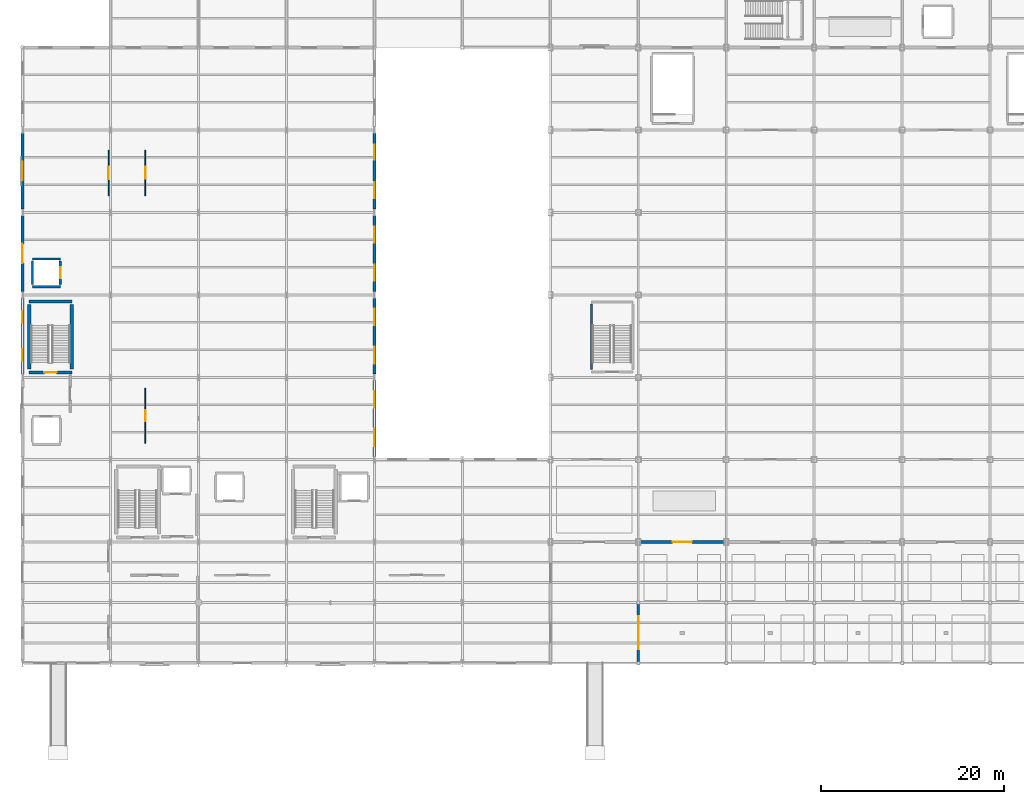
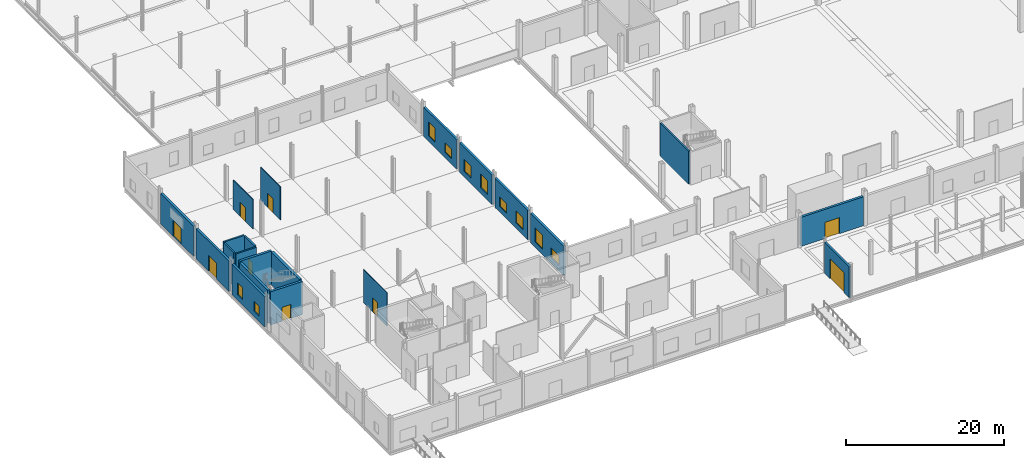
# One storey, part 67 of 85: 21 walls, 10 windows, 9 doors, 19 openings.
"""IFC4 building model written with IfcOpenShell, lengths in metres."""

from ifc_helpers import new_model, si_unit, direction, frame, frame_2d, origin, place, context, subcontext, project, spatial, rectangle, extrude, material, layer, layer_set, type_object, element, fill, save


model = new_model("IFC4")

# Units and contexts
model_context = context("Model", 3, precision=1e-05, world=origin(), true_north=direction((0.0, 1.0)))
body_context = subcontext(model_context, "Body", "Model", "MODEL_VIEW")
ifc_project = project(units=[si_unit("LENGTHUNIT", "METRE"), si_unit("AREAUNIT", "SQUARE_METRE"), si_unit("VOLUMEUNIT", "CUBIC_METRE"), si_unit("PLANEANGLEUNIT", "RADIAN"), si_unit("MASSUNIT", "GRAM", prefix="KILO")], contexts=[model_context])

# Site, building, storey
site_placement = place(None, origin())
site = spatial("IfcSite", under=ifc_project, at=site_placement, CompositionType="ELEMENT")
building_placement = place(site_placement, origin())
building = spatial("IfcBuilding", under=site, at=building_placement, Name="Zarnetskaya Central Station", CompositionType="ELEMENT")
storey_placement = place(building_placement, origin())
storey = spatial("IfcBuildingStorey", under=building, at=storey_placement, Name="L00", CompositionType="ELEMENT", Elevation=0.0)

# Wall, opening, door
ifc_material_1 = material(Name="Gypsum stud partition")
ifc_layer_1 = layer(ifc_material_1, 0.10009765625, Name="Gypsum stud partition")
ifc_layer_set_1 = layer_set([ifc_layer_1], Name="Gypsum stud partition")
wall_type_1 = type_object("IfcWallType", Name="PART-LGT-100", PredefinedType="PARTITIONING", material=ifc_layer_set_1)
wall_1_placement = place(storey_placement, frame((13.39990234375, 24.0, 0.0), z_axis=(0.0, 0.0, 1.0), x_axis=(0.0, 1.0, 0.0)))
wall_1 = element("IfcWall", 1, at=wall_1_placement, inside=storey, type_object=wall_type_1, Name="Interior partition IPRT-L00-0407", PredefinedType="PARTITIONING", context=body_context, shape_type="SweptSolid", body=[
    extrude(rectangle(XDim=6.0, YDim=0.10009765625, at=frame_2d((3.0, 0.0))), origin(), (0.0, 0.0, 1.0), 5.1201171875),
])
opening_1_placement = place(wall_1_placement, frame((2.375, 0.0, 0.0)))
opening_1 = element("IfcOpeningElement", 2, at=opening_1_placement, cuts=wall_1, Name="Opening DR-11", PredefinedType="OPENING", context=body_context, shape_type="SweptSolid", body=[
    extrude(rectangle(XDim=1.25, YDim=2.159912109375, at=frame_2d((0.625, 1.080078125))), frame((0.0, 0.06005859375, 0.0), z_axis=(0.0, -1.0, 0.0), x_axis=(1.0, 0.0, 0.0)), (0.0, 0.0, 1.0), 0.1201171875),
])
ifc_material_2 = material(Name="Anodised aluminium", Category="aluminium")
door_type_1 = type_object("IfcDoorType", Name="DR-INT-10", OperationType="NOTDEFINED", PredefinedType="DOOR", material=ifc_material_2)
door_1_placement = place(opening_1_placement, origin())
door_1 = element("IfcDoor", 3, at=door_1_placement, inside=storey, type_object=door_type_1, Name="Ground Left Luggage and Parcel Counter Hall door", OperationType="SINGLE_SWING_LEFT", OverallHeight=2.159912109375, OverallWidth=1.25, PredefinedType="DOOR", context=body_context, shape_type="SweptSolid", body=[
    extrude(rectangle(XDim=1.25, YDim=2.159912109375, at=frame_2d((0.625, 1.080078125))), frame((0.0, 0.02490234375, 0.0), z_axis=(0.0, -1.0, 0.0), x_axis=(1.0, 0.0, 0.0)), (0.0, 0.0, 1.0), 0.050048828125),
])
fill(opening_1, door_1)

ifc_material_3 = material(Name="Gypsum moisture partition")
ifc_layer_2 = layer(ifc_material_3, 0.114990234375, Name="Gypsum moisture partition")
ifc_layer_set_2 = layer_set([ifc_layer_2], Name="Gypsum moisture partition")
wall_type_2 = type_object("IfcWallType", Name="PART-WC-115", PredefinedType="PARTITIONING", material=ifc_layer_set_2)
wall_2_placement = place(storey_placement, frame((13.39990234375, 51.0, 0.0), z_axis=(0.0, 0.0, 1.0), x_axis=(0.0, 1.0, 0.0)))
wall_2 = element("IfcWall", 4, at=wall_2_placement, inside=storey, type_object=wall_type_2, Name="Interior partition IPRT-L00-0408", PredefinedType="PARTITIONING", context=body_context, shape_type="SweptSolid", body=[
    extrude(rectangle(XDim=5.0, YDim=0.114990234375, at=frame_2d((2.5, 0.0))), origin(), (0.0, 0.0, 1.0), 5.1201171875),
])
opening_2_placement = place(wall_2_placement, frame((1.85009765625, 0.0, 0.0)))
opening_2 = element("IfcOpeningElement", 5, at=opening_2_placement, cuts=wall_2, Name="Opening DR-14", PredefinedType="OPENING", context=body_context, shape_type="SweptSolid", body=[
    extrude(rectangle(XDim=1.300048828125, YDim=2.159912109375, at=frame_2d((0.64990234375, 1.080078125))), frame((0.0, 0.0673828125, 0.0), z_axis=(0.0, -1.0, 0.0), x_axis=(1.0, 0.0, 0.0)), (0.0, 0.0, 1.0), 0.135009765625),
])
door_type_2 = type_object("IfcDoorType", Name="DR-INT-11", OperationType="NOTDEFINED", PredefinedType="DOOR", material=ifc_material_2)
door_2_placement = place(opening_2_placement, origin())
door_2 = element("IfcDoor", 6, at=door_2_placement, inside=storey, type_object=door_type_2, Name="Main Station Public WC Male and Female door", OperationType="SINGLE_SWING_RIGHT", OverallHeight=2.159912109375, OverallWidth=1.300048828125, PredefinedType="DOOR", context=body_context, shape_type="SweptSolid", body=[
    extrude(rectangle(XDim=1.300048828125, YDim=2.159912109375, at=frame_2d((0.64990234375, 1.080078125))), frame((0.0, 0.02490234375, 0.0), z_axis=(0.0, -1.0, 0.0), x_axis=(1.0, 0.0, 0.0)), (0.0, 0.0, 1.0), 0.050048828125),
])
fill(opening_2, door_2)

wall_3_placement = place(storey_placement, frame((9.39990234375, 56.0, 0.0), z_axis=(0.0, 0.0, 1.0), x_axis=(0.0, -1.0, 0.0)))
wall_3 = element("IfcWall", 7, at=wall_3_placement, inside=storey, type_object=wall_type_2, Name="Interior partition IPRT-L00-0409", PredefinedType="PARTITIONING", context=body_context, shape_type="SweptSolid", body=[
    extrude(rectangle(XDim=5.0, YDim=0.114990234375, at=frame_2d((2.5, 0.0))), origin(), (0.0, 0.0, 1.0), 4.5400390625),
])
opening_3_placement = place(wall_3_placement, frame((1.820068359375, 0.0, 0.0)))
opening_3 = element("IfcOpeningElement", 8, at=opening_3_placement, cuts=wall_3, Name="Opening DR-08", PredefinedType="OPENING", context=body_context, shape_type="SweptSolid", body=[
    extrude(rectangle(XDim=1.360107421875, YDim=2.179931640625, at=frame_2d((0.68017578125, 1.08984375))), frame((0.0, 0.0673828125, 0.0), z_axis=(0.0, -1.0, 0.0), x_axis=(1.0, 0.0, 0.0)), (0.0, 0.0, 1.0), 0.135009765625),
])
door_type_3 = type_object("IfcDoorType", Name="DR-INT-12", OperationType="NOTDEFINED", PredefinedType="DOOR", material=ifc_material_2)
door_3_placement = place(opening_3_placement, origin())
door_3 = element("IfcDoor", 9, at=door_3_placement, inside=storey, type_object=door_type_3, Name="Main Station Accessible WC and Baby Care Suite door", OperationType="SINGLE_SWING_LEFT", OverallHeight=2.179931640625, OverallWidth=1.360107421875, PredefinedType="DOOR", context=body_context, shape_type="SweptSolid", body=[
    extrude(rectangle(XDim=1.360107421875, YDim=2.179931640625, at=frame_2d((0.68017578125, 1.08984375))), frame((0.0, 0.02490234375, 0.0), z_axis=(0.0, -1.0, 0.0), x_axis=(1.0, 0.0, 0.0)), (0.0, 0.0, 1.0), 0.050048828125),
])
fill(opening_3, door_3)

ifc_material_4 = material(Name="Concrete C35/45", Category="concrete")
ifc_layer_3 = layer(ifc_material_4, 0.35009765625, Name="Concrete C35/45", Category="concrete")
ifc_layer_set_3 = layer_set([ifc_layer_3], Name="Concrete C35/45")
wall_type_3 = type_object("IfcWallType", Name="WALL-CORE-350", PredefinedType="SHEAR", material=ifc_layer_set_3)
wall_4_placement = place(storey_placement, frame((5.375, 31.72509765625, 0.0), z_axis=(0.0, 0.0, 1.0), x_axis=(-1.0, 0.0, 0.0)))
wall_4 = element("IfcWall", 10, at=wall_4_placement, inside=storey, type_object=wall_type_3, Name="Core shear wall WSTR-L00-0221", PredefinedType="SHEAR", context=body_context, shape_type="SweptSolid", body=[
    extrude(rectangle(XDim=4.64990234375, YDim=0.35009765625, at=frame_2d((2.324951171875, 0.0))), origin(), (0.0, 0.0, 1.0), 5.1201171875),
])
opening_4_placement = place(wall_4_placement, frame((1.6650390625, 0.0, 0.0)))
opening_4 = element("IfcOpeningElement", 11, at=opening_4_placement, cuts=wall_4, Name="Opening DR-FD60", PredefinedType="OPENING", context=body_context, shape_type="SweptSolid", body=[
    extrude(rectangle(XDim=1.320068359375, YDim=2.14990234375, at=frame_2d((0.66015625, 1.074951171875))), frame((0.0, 0.18505859375, 0.0), z_axis=(0.0, -1.0, 0.0), x_axis=(1.0, 0.0, 0.0)), (0.0, 0.0, 1.0), 0.3701171875),
])
door_type_4 = type_object("IfcDoorType", Name="DR-FIRE-STAIR", OperationType="NOTDEFINED", PredefinedType="DOOR", material=ifc_material_2)
door_4_placement = place(opening_4_placement, origin())
door_4 = element("IfcDoor", 12, at=door_4_placement, inside=storey, type_object=door_type_4, Name="Protected exit stair door ST-C2 L00", OperationType="SINGLE_SWING_LEFT", OverallHeight=2.14990234375, OverallWidth=1.320068359375, PredefinedType="DOOR", context=body_context, shape_type="SweptSolid", body=[
    extrude(rectangle(XDim=1.320068359375, YDim=2.14990234375, at=frame_2d((0.66015625, 1.074951171875))), frame((0.0, 0.02490234375, 0.0), z_axis=(0.0, -1.0, 0.0), x_axis=(1.0, 0.0, 0.0)), (0.0, 0.0, 1.0), 0.050048828125),
])
fill(opening_4, door_4)

# Walls
wall_5_placement = place(storey_placement, frame((0.72509765625, 39.47509765625, 0.0), z_axis=(0.0, 0.0, 1.0), x_axis=(1.0, 0.0, 0.0)))
element("IfcWall", 13, at=wall_5_placement, inside=storey, type_object=wall_type_3, Name="Core shear wall WSTR-L00-0222", PredefinedType="SHEAR", context=body_context, shape_type="SweptSolid", body=[
    extrude(rectangle(XDim=4.64990234375, YDim=0.35009765625, at=frame_2d((2.324951171875, 0.0))), origin(), (0.0, 0.0, 1.0), 5.1201171875),
])
for number, where, z_axis, x_axis, name in (
    (14, (0.72509765625, 32.074951171875, 0.0), (0.0, 0.0, 1.0), (0.0, 1.0, 0.0), "Core shear wall WSTR-L00-0223"),
    (15, (5.375, 39.125, 0.0), (0.0, 0.0, 1.0), (0.0, -1.0, 0.0), "Core shear wall WSTR-L00-0224"),
):
    element("IfcWall", number, at=place(storey_placement, frame(where, z_axis=z_axis, x_axis=x_axis)), inside=storey, type_object=wall_type_3, Name=name, PredefinedType="SHEAR", context=body_context, shape_type="SweptSolid", body=[
        extrude(rectangle(XDim=7.050048828125, YDim=0.35009765625, at=frame_2d((3.52490234375, 0.0))), origin(), (0.0, 0.0, 1.0), 5.1201171875),
    ])

# Wall, opening, door
ifc_material_5 = material(Name="Precast concrete C40/50", Category="concrete")
ifc_layer_4 = layer(ifc_material_5, 0.340087890625, Name="Precast concrete C40/50", Category="concrete")
ifc_layer_set_4 = layer_set([ifc_layer_4], Name="Precast concrete C40/50")
wall_type_4 = type_object("IfcWallType", Name="WALL-EAVE-340", PredefinedType="SOLIDWALL", material=ifc_layer_set_4)
wall_6_placement = place(storey_placement, frame((76.550048828125, 13.199951171875, 0.0), z_axis=(0.0, 0.0, 1.0), x_axis=(-1.0, 0.0, 0.0)))
wall_6 = element("IfcWall", 16, at=wall_6_placement, inside=storey, type_object=wall_type_4, Name="Exterior precast wall EW-L00-766-132-674-132", PredefinedType="SOLIDWALL", context=body_context, shape_type="SweptSolid", body=[
    extrude(rectangle(XDim=9.10009765625, YDim=0.340087890625, at=frame_2d((4.550048828125, 0.0))), origin(), (0.0, 0.0, 1.0), 4.489990234375),
])
opening_5_placement = place(wall_6_placement, frame((3.5, 0.0, 0.0)))
opening_5 = element("IfcOpeningElement", 17, at=opening_5_placement, cuts=wall_6, Name="Opening ED-10", PredefinedType="OPENING", context=body_context, shape_type="SweptSolid", body=[
    extrude(rectangle(XDim=2.10009765625, YDim=2.5, at=frame_2d((1.050048828125, 1.25))), frame((0.0, 0.18017578125, 0.0), z_axis=(0.0, -1.0, 0.0), x_axis=(1.0, 0.0, 0.0)), (0.0, 0.0, 1.0), 0.360107421875),
])
door_type_5 = type_object("IfcDoorType", Name="DR-EXT-210x250", OperationType="NOTDEFINED", PredefinedType="DOOR", material=ifc_material_2)
door_5_placement = place(opening_5_placement, origin())
door_5 = element("IfcDoor", 18, at=door_5_placement, inside=storey, type_object=door_type_5, Name="Pedestrian final exit door ED-11", OperationType="DOUBLE_DOOR_SINGLE_SWING", OverallHeight=2.5, OverallWidth=2.10009765625, PredefinedType="DOOR", context=body_context, shape_type="SweptSolid", body=[
    extrude(rectangle(XDim=2.10009765625, YDim=2.5, at=frame_2d((1.050048828125, 1.25))), frame((0.0, 0.02490234375, 0.0), z_axis=(0.0, -1.0, 0.0), x_axis=(1.0, 0.0, 0.0)), (0.0, 0.0, 1.0), 0.050048828125),
])
fill(opening_5, door_5)

ifc_layer_5 = layer(ifc_material_5, 0.280029296875, Name="Precast concrete C40/50", Category="concrete")
ifc_layer_set_5 = layer_set([ifc_layer_5], Name="Precast concrete C40/50")
wall_type_5 = type_object("IfcWallType", Name="WALL-EXT-280", PredefinedType="SOLIDWALL", material=ifc_layer_set_5)
wall_7_placement = place(storey_placement, frame((67.199951171875, 0.177734375, 0.0), z_axis=(0.0, 0.0, 1.0), x_axis=(0.0, 1.0, 0.0)))
wall_7 = element("IfcWall", 19, at=wall_7_placement, inside=storey, type_object=wall_type_5, Name="Exterior precast wall EW-L00-672-2-672-64", PredefinedType="SOLIDWALL", context=body_context, shape_type="SweptSolid", body=[
    extrude(rectangle(XDim=6.244384765625, YDim=0.280029296875, at=frame_2d((3.1220703125, 0.0))), origin(), (0.0, 0.0, 1.0), 4.800048828125),
])
opening_6_placement = place(wall_7_placement, frame((1.322265625, 0.0, 0.0)))
opening_6 = element("IfcOpeningElement", 20, at=opening_6_placement, cuts=wall_7, Name="Opening ED-06", PredefinedType="OPENING", context=body_context, shape_type="SweptSolid", body=[
    extrude(rectangle(XDim=3.60009765625, YDim=3.10009765625, at=frame_2d((1.800048828125, 1.550048828125))), frame((0.0, 0.14990234375, 0.0), z_axis=(0.0, -1.0, 0.0), x_axis=(1.0, 0.0, 0.0)), (0.0, 0.0, 1.0), 0.300048828125),
])
door_type_6 = type_object("IfcDoorType", Name="DR-VEH-GATE", OperationType="NOTDEFINED", PredefinedType="DOOR", material=ifc_material_2)
door_6_placement = place(opening_6_placement, origin())
door_6 = element("IfcDoor", 21, at=door_6_placement, inside=storey, type_object=door_type_6, Name="Forecourt vehicle portal gate VG-01", OperationType="DOUBLE_DOOR_SLIDING", OverallHeight=3.10009765625, OverallWidth=3.60009765625, PredefinedType="DOOR", context=body_context, shape_type="SweptSolid", body=[
    extrude(rectangle(XDim=3.60009765625, YDim=3.10009765625, at=frame_2d((1.800048828125, 1.550048828125))), frame((0.0, 0.02490234375, 0.0), z_axis=(0.0, -1.0, 0.0), x_axis=(1.0, 0.0, 0.0)), (0.0, 0.0, 1.0), 0.050048828125),
])
fill(opening_6, door_6)

# Wall, openings, windows
ifc_layer_6 = layer(ifc_material_5, 0.320068359375, Name="Precast concrete C40/50", Category="concrete")
ifc_layer_set_6 = layer_set([ifc_layer_6], Name="Precast concrete C40/50")
wall_type_6 = type_object("IfcWallType", Name="WALL-EXT-320", PredefinedType="SOLIDWALL", material=ifc_layer_set_6)
wall_8_placement = place(storey_placement, frame((0.0, 31.550048828125, 0.0), z_axis=(0.0, 0.0, 1.0), x_axis=(0.0, 1.0, 0.0)))
wall_8 = element("IfcWall", 22, at=wall_8_placement, inside=storey, type_object=wall_type_6, Name="Exterior precast wall EW-L00-0-316-0-398", PredefinedType="SOLIDWALL", context=body_context, shape_type="SweptSolid", body=[
    extrude(rectangle(XDim=8.300048828125, YDim=0.320068359375, at=frame_2d((4.14990234375, 0.0))), origin(), (0.0, 0.0, 1.0), 4.68994140625),
])
opening_7_placement = place(wall_8_placement, frame((1.449951171875, 0.0, 0.85009765625)))
opening_7 = element("IfcOpeningElement", 23, at=opening_7_placement, cuts=wall_8, Name="Opening WN-26", PredefinedType="OPENING", context=body_context, shape_type="SweptSolid", body=[
    extrude(rectangle(XDim=1.25, YDim=1.5, at=frame_2d((0.625, 0.75))), frame((0.0, 0.169921875, 0.0), z_axis=(0.0, -1.0, 0.0), x_axis=(1.0, 0.0, 0.0)), (0.0, 0.0, 1.0), 0.340087890625),
])
opening_8_placement = place(wall_8_placement, frame((5.60009765625, 0.0, 0.85009765625)))
opening_8 = element("IfcOpeningElement", 24, at=opening_8_placement, cuts=wall_8, Name="Opening WN-21", PredefinedType="OPENING", context=body_context, shape_type="SweptSolid", body=[
    extrude(rectangle(XDim=1.25, YDim=1.85009765625, at=frame_2d((0.625, 0.925048828125))), frame((0.0, 0.169921875, 0.0), z_axis=(0.0, -1.0, 0.0), x_axis=(1.0, 0.0, 0.0)), (0.0, 0.0, 1.0), 0.340087890625),
])
ifc_material_6 = material(Name="Low-E insulated glass", Category="glass")
window_type_1 = type_object("IfcWindowType", Name="WIN-04", PartitioningType="SINGLE_PANEL", PredefinedType="WINDOW", material=ifc_material_6)
window_1_placement = place(opening_7_placement, origin())
window_1 = element("IfcWindow", 25, at=window_1_placement, inside=storey, type_object=window_type_1, Name="Facade window L00-0004", OverallHeight=1.5, OverallWidth=1.25, PartitioningType="SINGLE_PANEL", PredefinedType="WINDOW", context=body_context, shape_type="SweptSolid", body=[
    extrude(rectangle(XDim=1.25, YDim=1.5, at=frame_2d((0.625, 0.75))), frame((0.0, 0.030029296875, 0.0), z_axis=(0.0, -1.0, 0.0), x_axis=(1.0, 0.0, 0.0)), (0.0, 0.0, 1.0), 0.06005859375),
])
fill(opening_7, window_1)
window_type_2 = type_object("IfcWindowType", Name="WIN-05", PartitioningType="SINGLE_PANEL", PredefinedType="WINDOW", material=ifc_material_6)
window_2_placement = place(opening_8_placement, origin())
window_2 = element("IfcWindow", 26, at=window_2_placement, inside=storey, type_object=window_type_2, Name="Facade window L00-0005", OverallHeight=1.85009765625, OverallWidth=1.25, PartitioningType="SINGLE_PANEL", PredefinedType="WINDOW", context=body_context, shape_type="SweptSolid", body=[
    extrude(rectangle(XDim=1.25, YDim=1.85009765625, at=frame_2d((0.625, 0.925048828125))), frame((0.0, 0.030029296875, 0.0), z_axis=(0.0, -1.0, 0.0), x_axis=(1.0, 0.0, 0.0)), (0.0, 0.0, 1.0), 0.06005859375),
])
fill(opening_8, window_2)

# Wall, opening, door
wall_9_placement = place(storey_placement, frame((0.0, 40.550048828125, 0.0), z_axis=(0.0, 0.0, 1.0), x_axis=(0.0, 1.0, 0.0)))
wall_9 = element("IfcWall", 27, at=wall_9_placement, inside=storey, type_object=wall_type_6, Name="Exterior precast wall EW-L00-0-406-0-488", PredefinedType="SOLIDWALL", context=body_context, shape_type="SweptSolid", body=[
    extrude(rectangle(XDim=8.300048828125, YDim=0.320068359375, at=frame_2d((4.14990234375, 0.0))), origin(), (0.0, 0.0, 1.0), 4.68994140625),
])
opening_9_placement = place(wall_9_placement, frame((3.10009765625, 0.0, 0.0)))
opening_9 = element("IfcOpeningElement", 28, at=opening_9_placement, cuts=wall_9, Name="Opening ED-10", PredefinedType="OPENING", context=body_context, shape_type="SweptSolid", body=[
    extrude(rectangle(XDim=2.10009765625, YDim=2.5, at=frame_2d((1.050048828125, 1.25))), frame((0.0, 0.169921875, 0.0), z_axis=(0.0, -1.0, 0.0), x_axis=(1.0, 0.0, 0.0)), (0.0, 0.0, 1.0), 0.340087890625),
])
door_7_placement = place(opening_9_placement, origin())
door_7 = element("IfcDoor", 29, at=door_7_placement, inside=storey, type_object=door_type_5, Name="Pedestrian final exit door ED-03", OperationType="DOUBLE_DOOR_SINGLE_SWING", OverallHeight=2.5, OverallWidth=2.10009765625, PredefinedType="DOOR", context=body_context, shape_type="SweptSolid", body=[
    extrude(rectangle(XDim=2.10009765625, YDim=2.5, at=frame_2d((1.050048828125, 1.25))), frame((0.0, 0.02490234375, 0.0), z_axis=(0.0, -1.0, 0.0), x_axis=(1.0, 0.0, 0.0)), (0.0, 0.0, 1.0), 0.050048828125),
])
fill(opening_9, door_7)

wall_10_placement = place(storey_placement, frame((0.0, 49.550048828125, 0.0), z_axis=(0.0, 0.0, 1.0), x_axis=(0.0, 1.0, 0.0)))
wall_10 = element("IfcWall", 30, at=wall_10_placement, inside=storey, type_object=wall_type_6, Name="Exterior precast wall EW-L00-0-496-0-578", PredefinedType="SOLIDWALL", context=body_context, shape_type="SweptSolid", body=[
    extrude(rectangle(XDim=8.300048828125, YDim=0.320068359375, at=frame_2d((4.14990234375, 0.0))), origin(), (0.0, 0.0, 1.0), 4.68994140625),
])
opening_10_placement = place(wall_10_placement, frame((3.125, 0.0, 0.0)))
opening_10 = element("IfcOpeningElement", 31, at=opening_10_placement, cuts=wall_10, Name="Opening ED-14", PredefinedType="OPENING", context=body_context, shape_type="SweptSolid", body=[
    extrude(rectangle(XDim=2.050048828125, YDim=2.449951171875, at=frame_2d((1.02490234375, 1.22509765625))), frame((0.0, 0.169921875, 0.0), z_axis=(0.0, -1.0, 0.0), x_axis=(1.0, 0.0, 0.0)), (0.0, 0.0, 1.0), 0.340087890625),
])
door_type_7 = type_object("IfcDoorType", Name="DR-EXT-205x245", OperationType="NOTDEFINED", PredefinedType="DOOR", material=ifc_material_2)
door_8_placement = place(opening_10_placement, origin())
door_8 = element("IfcDoor", 32, at=door_8_placement, inside=storey, type_object=door_type_7, Name="Pedestrian final exit door ED-04", OperationType="DOUBLE_DOOR_SINGLE_SWING", OverallHeight=2.449951171875, OverallWidth=2.050048828125, PredefinedType="DOOR", context=body_context, shape_type="SweptSolid", body=[
    extrude(rectangle(XDim=2.050048828125, YDim=2.449951171875, at=frame_2d((1.02490234375, 1.22509765625))), frame((0.0, 0.02490234375, 0.0), z_axis=(0.0, -1.0, 0.0), x_axis=(1.0, 0.0, 0.0)), (0.0, 0.0, 1.0), 0.050048828125),
])
fill(opening_10, door_8)

# Wall, openings, windows
wall_11_placement = place(storey_placement, frame((38.39990234375, 57.85009765625, 0.0), z_axis=(0.0, 0.0, 1.0), x_axis=(0.0, -1.0, 0.0)))
wall_11 = element("IfcWall", 33, at=wall_11_placement, inside=storey, type_object=wall_type_6, Name="Exterior precast wall EW-L00-384-578-384-496", PredefinedType="SOLIDWALL", context=body_context, shape_type="SweptSolid", body=[
    extrude(rectangle(XDim=8.300048828125, YDim=0.320068359375, at=frame_2d((4.14990234375, 0.0))), origin(), (0.0, 0.0, 1.0), 4.5400390625),
])
opening_11_placement = place(wall_11_placement, frame((1.25, 0.0, 0.85009765625)))
opening_11 = element("IfcOpeningElement", 34, at=opening_11_placement, cuts=wall_11, Name="Opening WN-52", PredefinedType="OPENING", context=body_context, shape_type="SweptSolid", body=[
    extrude(rectangle(XDim=1.64990234375, YDim=2.14990234375, at=frame_2d((0.824951171875, 1.074951171875))), frame((0.0, 0.169921875, 0.0), z_axis=(0.0, -1.0, 0.0), x_axis=(1.0, 0.0, 0.0)), (0.0, 0.0, 1.0), 0.340087890625),
])
opening_12_placement = place(wall_11_placement, frame((5.35009765625, 0.0, 0.85009765625)))
opening_12 = element("IfcOpeningElement", 35, at=opening_12_placement, cuts=wall_11, Name="Opening WN-10", PredefinedType="OPENING", context=body_context, shape_type="SweptSolid", body=[
    extrude(rectangle(XDim=1.75, YDim=1.5, at=frame_2d((0.875, 0.75))), frame((0.0, 0.169921875, 0.0), z_axis=(0.0, -1.0, 0.0), x_axis=(1.0, 0.0, 0.0)), (0.0, 0.0, 1.0), 0.340087890625),
])
window_type_3 = type_object("IfcWindowType", Name="WIN-18", PartitioningType="SINGLE_PANEL", PredefinedType="WINDOW", material=ifc_material_6)
window_3_placement = place(opening_11_placement, origin())
window_3 = element("IfcWindow", 36, at=window_3_placement, inside=storey, type_object=window_type_3, Name="Facade window L00-0018", OverallHeight=2.14990234375, OverallWidth=1.64990234375, PartitioningType="SINGLE_PANEL", PredefinedType="WINDOW", context=body_context, shape_type="SweptSolid", body=[
    extrude(rectangle(XDim=1.64990234375, YDim=2.14990234375, at=frame_2d((0.824951171875, 1.074951171875))), frame((0.0, 0.030029296875, 0.0), z_axis=(0.0, -1.0, 0.0), x_axis=(1.0, 0.0, 0.0)), (0.0, 0.0, 1.0), 0.06005859375),
])
fill(opening_11, window_3)
window_type_4 = type_object("IfcWindowType", Name="WIN-19", PartitioningType="SINGLE_PANEL", PredefinedType="WINDOW", material=ifc_material_6)
window_4_placement = place(opening_12_placement, origin())
window_4 = element("IfcWindow", 37, at=window_4_placement, inside=storey, type_object=window_type_4, Name="Facade window L00-0019", OverallHeight=1.5, OverallWidth=1.75, PartitioningType="SINGLE_PANEL", PredefinedType="WINDOW", context=body_context, shape_type="SweptSolid", body=[
    extrude(rectangle(XDim=1.75, YDim=1.5, at=frame_2d((0.875, 0.75))), frame((0.0, 0.030029296875, 0.0), z_axis=(0.0, -1.0, 0.0), x_axis=(1.0, 0.0, 0.0)), (0.0, 0.0, 1.0), 0.06005859375),
])
fill(opening_12, window_4)

wall_12_placement = place(storey_placement, frame((38.39990234375, 48.85009765625, 0.0), z_axis=(0.0, 0.0, 1.0), x_axis=(0.0, -1.0, 0.0)))
wall_12 = element("IfcWall", 38, at=wall_12_placement, inside=storey, type_object=wall_type_6, Name="Exterior precast wall EW-L00-384-488-384-406", PredefinedType="SOLIDWALL", context=body_context, shape_type="SweptSolid", body=[
    extrude(rectangle(XDim=8.300048828125, YDim=0.320068359375, at=frame_2d((4.14990234375, 0.0))), origin(), (0.0, 0.0, 1.0), 4.5400390625),
])
opening_13_placement = place(wall_12_placement, frame((1.199951171875, 0.0, 0.85009765625)))
opening_13 = element("IfcOpeningElement", 39, at=opening_13_placement, cuts=wall_12, Name="Opening WN-06", PredefinedType="OPENING", context=body_context, shape_type="SweptSolid", body=[
    extrude(rectangle(XDim=1.75, YDim=1.85009765625, at=frame_2d((0.875, 0.925048828125))), frame((0.0, 0.169921875, 0.0), z_axis=(0.0, -1.0, 0.0), x_axis=(1.0, 0.0, 0.0)), (0.0, 0.0, 1.0), 0.340087890625),
])
opening_14_placement = place(wall_12_placement, frame((5.35009765625, 0.0, 0.85009765625)))
opening_14 = element("IfcOpeningElement", 40, at=opening_14_placement, cuts=wall_12, Name="Opening WN-01", PredefinedType="OPENING", context=body_context, shape_type="SweptSolid", body=[
    extrude(rectangle(XDim=1.75, YDim=2.14990234375, at=frame_2d((0.875, 1.074951171875))), frame((0.0, 0.169921875, 0.0), z_axis=(0.0, -1.0, 0.0), x_axis=(1.0, 0.0, 0.0)), (0.0, 0.0, 1.0), 0.340087890625),
])
window_type_5 = type_object("IfcWindowType", Name="WIN-20", PartitioningType="SINGLE_PANEL", PredefinedType="WINDOW", material=ifc_material_6)
window_5_placement = place(opening_13_placement, origin())
window_5 = element("IfcWindow", 41, at=window_5_placement, inside=storey, type_object=window_type_5, Name="Facade window L00-0020", OverallHeight=1.85009765625, OverallWidth=1.75, PartitioningType="SINGLE_PANEL", PredefinedType="WINDOW", context=body_context, shape_type="SweptSolid", body=[
    extrude(rectangle(XDim=1.75, YDim=1.85009765625, at=frame_2d((0.875, 0.925048828125))), frame((0.0, 0.030029296875, 0.0), z_axis=(0.0, -1.0, 0.0), x_axis=(1.0, 0.0, 0.0)), (0.0, 0.0, 1.0), 0.06005859375),
])
fill(opening_13, window_5)
window_type_6 = type_object("IfcWindowType", Name="WIN-21", PartitioningType="SINGLE_PANEL", PredefinedType="WINDOW", material=ifc_material_6)
window_6_placement = place(opening_14_placement, origin())
window_6 = element("IfcWindow", 42, at=window_6_placement, inside=storey, type_object=window_type_6, Name="Facade window L00-0021", OverallHeight=2.14990234375, OverallWidth=1.75, PartitioningType="SINGLE_PANEL", PredefinedType="WINDOW", context=body_context, shape_type="SweptSolid", body=[
    extrude(rectangle(XDim=1.75, YDim=2.14990234375, at=frame_2d((0.875, 1.074951171875))), frame((0.0, 0.030029296875, 0.0), z_axis=(0.0, -1.0, 0.0), x_axis=(1.0, 0.0, 0.0)), (0.0, 0.0, 1.0), 0.06005859375),
])
fill(opening_14, window_6)

wall_13_placement = place(storey_placement, frame((38.39990234375, 39.85009765625, 0.0), z_axis=(0.0, 0.0, 1.0), x_axis=(0.0, -1.0, 0.0)))
wall_13 = element("IfcWall", 43, at=wall_13_placement, inside=storey, type_object=wall_type_6, Name="Exterior precast wall EW-L00-384-398-384-316", PredefinedType="SOLIDWALL", context=body_context, shape_type="SweptSolid", body=[
    extrude(rectangle(XDim=8.300048828125, YDim=0.320068359375, at=frame_2d((4.14990234375, 0.0))), origin(), (0.0, 0.0, 1.0), 4.5400390625),
])
opening_15_placement = place(wall_13_placement, frame((1.14990234375, 0.0, 0.85009765625)))
opening_15 = element("IfcOpeningElement", 44, at=opening_15_placement, cuts=wall_13, Name="Opening WN-13", PredefinedType="OPENING", context=body_context, shape_type="SweptSolid", body=[
    extrude(rectangle(XDim=1.85009765625, YDim=1.5, at=frame_2d((0.925048828125, 0.75))), frame((0.0, 0.169921875, 0.0), z_axis=(0.0, -1.0, 0.0), x_axis=(1.0, 0.0, 0.0)), (0.0, 0.0, 1.0), 0.340087890625),
])
opening_16_placement = place(wall_13_placement, frame((5.300048828125, 0.0, 0.85009765625)))
opening_16 = element("IfcOpeningElement", 45, at=opening_16_placement, cuts=wall_13, Name="Opening WN-08", PredefinedType="OPENING", context=body_context, shape_type="SweptSolid", body=[
    extrude(rectangle(XDim=1.85009765625, YDim=1.85009765625, at=frame_2d((0.925048828125, 0.925048828125))), frame((0.0, 0.169921875, 0.0), z_axis=(0.0, -1.0, 0.0), x_axis=(1.0, 0.0, 0.0)), (0.0, 0.0, 1.0), 0.340087890625),
])
window_type_7 = type_object("IfcWindowType", Name="WIN-22", PartitioningType="DOUBLE_PANEL_VERTICAL", PredefinedType="WINDOW", material=ifc_material_6)
window_7_placement = place(opening_15_placement, origin())
window_7 = element("IfcWindow", 46, at=window_7_placement, inside=storey, type_object=window_type_7, Name="Facade window L00-0022", OverallHeight=1.5, OverallWidth=1.85009765625, PartitioningType="SINGLE_PANEL", PredefinedType="WINDOW", context=body_context, shape_type="SweptSolid", body=[
    extrude(rectangle(XDim=1.85009765625, YDim=1.5, at=frame_2d((0.925048828125, 0.75))), frame((0.0, 0.030029296875, 0.0), z_axis=(0.0, -1.0, 0.0), x_axis=(1.0, 0.0, 0.0)), (0.0, 0.0, 1.0), 0.06005859375),
])
fill(opening_15, window_7)
window_type_8 = type_object("IfcWindowType", Name="WIN-23", PartitioningType="DOUBLE_PANEL_VERTICAL", PredefinedType="WINDOW", material=ifc_material_6)
window_8_placement = place(opening_16_placement, origin())
window_8 = element("IfcWindow", 47, at=window_8_placement, inside=storey, type_object=window_type_8, Name="Facade window L00-0023", OverallHeight=1.85009765625, OverallWidth=1.85009765625, PartitioningType="SINGLE_PANEL", PredefinedType="WINDOW", context=body_context, shape_type="SweptSolid", body=[
    extrude(rectangle(XDim=1.85009765625, YDim=1.85009765625, at=frame_2d((0.925048828125, 0.925048828125))), frame((0.0, 0.030029296875, 0.0), z_axis=(0.0, -1.0, 0.0), x_axis=(1.0, 0.0, 0.0)), (0.0, 0.0, 1.0), 0.06005859375),
])
fill(opening_16, window_8)

wall_14_placement = place(storey_placement, frame((38.39990234375, 30.85009765625, 0.0), z_axis=(0.0, 0.0, 1.0), x_axis=(0.0, -1.0, 0.0)))
wall_14 = element("IfcWall", 48, at=wall_14_placement, inside=storey, type_object=wall_type_6, Name="Exterior precast wall EW-L00-384-308-384-226", PredefinedType="SOLIDWALL", context=body_context, shape_type="SweptSolid", body=[
    extrude(rectangle(XDim=8.300048828125, YDim=0.320068359375, at=frame_2d((4.14990234375, 0.0))), origin(), (0.0, 0.0, 1.0), 4.5400390625),
])
opening_17_placement = place(wall_14_placement, frame((1.14990234375, 0.0, 0.85009765625)))
opening_17 = element("IfcOpeningElement", 49, at=opening_17_placement, cuts=wall_14, Name="Opening WN-18", PredefinedType="OPENING", context=body_context, shape_type="SweptSolid", body=[
    extrude(rectangle(XDim=1.85009765625, YDim=2.14990234375, at=frame_2d((0.925048828125, 1.074951171875))), frame((0.0, 0.169921875, 0.0), z_axis=(0.0, -1.0, 0.0), x_axis=(1.0, 0.0, 0.0)), (0.0, 0.0, 1.0), 0.340087890625),
])
opening_18_placement = place(wall_14_placement, frame((5.25, 0.0, 0.85009765625)))
opening_18 = element("IfcOpeningElement", 50, at=opening_18_placement, cuts=wall_14, Name="Opening WN-07", PredefinedType="OPENING", context=body_context, shape_type="SweptSolid", body=[
    extrude(rectangle(XDim=1.949951171875, YDim=1.5, at=frame_2d((0.97509765625, 0.75))), frame((0.0, 0.169921875, 0.0), z_axis=(0.0, -1.0, 0.0), x_axis=(1.0, 0.0, 0.0)), (0.0, 0.0, 1.0), 0.340087890625),
])
window_type_9 = type_object("IfcWindowType", Name="WIN-24", PartitioningType="DOUBLE_PANEL_VERTICAL", PredefinedType="WINDOW", material=ifc_material_6)
window_9_placement = place(opening_17_placement, origin())
window_9 = element("IfcWindow", 51, at=window_9_placement, inside=storey, type_object=window_type_9, Name="Facade window L00-0024", OverallHeight=2.14990234375, OverallWidth=1.85009765625, PartitioningType="SINGLE_PANEL", PredefinedType="WINDOW", context=body_context, shape_type="SweptSolid", body=[
    extrude(rectangle(XDim=1.85009765625, YDim=2.14990234375, at=frame_2d((0.925048828125, 1.074951171875))), frame((0.0, 0.030029296875, 0.0), z_axis=(0.0, -1.0, 0.0), x_axis=(1.0, 0.0, 0.0)), (0.0, 0.0, 1.0), 0.06005859375),
])
fill(opening_17, window_9)
window_type_10 = type_object("IfcWindowType", Name="WIN-25", PartitioningType="DOUBLE_PANEL_VERTICAL", PredefinedType="WINDOW", material=ifc_material_6)
window_10_placement = place(opening_18_placement, origin())
window_10 = element("IfcWindow", 52, at=window_10_placement, inside=storey, type_object=window_type_10, Name="Facade window L00-0025", OverallHeight=1.5, OverallWidth=1.949951171875, PartitioningType="SINGLE_PANEL", PredefinedType="WINDOW", context=body_context, shape_type="SweptSolid", body=[
    extrude(rectangle(XDim=1.949951171875, YDim=1.5, at=frame_2d((0.97509765625, 0.75))), frame((0.0, 0.030029296875, 0.0), z_axis=(0.0, -1.0, 0.0), x_axis=(1.0, 0.0, 0.0)), (0.0, 0.0, 1.0), 0.06005859375),
])
fill(opening_18, window_10)

# Walls
ifc_layer_7 = layer(ifc_material_4, 0.239990234375, Name="Concrete C35/45", Category="concrete")
ifc_layer_set_7 = layer_set([ifc_layer_7], Name="Concrete C35/45")
wall_type_7 = type_object("IfcWallType", Name="WALL-SHFT-240", PredefinedType="SHEAR", material=ifc_layer_set_7)
for number, where, z_axis, x_axis, name in (
    (53, (4.1201171875, 41.080078125, 0.0), (0.0, 0.0, 1.0), (-1.0, 0.0, 0.0), "Core shear wall WSHF-L00-0089"),
    (54, (1.080078125, 44.1201171875, 0.0), (0.0, 0.0, 1.0), (1.0, 0.0, 0.0), "Core shear wall WSHF-L00-0090"),
):
    element("IfcWall", number, at=place(storey_placement, frame(where, z_axis=z_axis, x_axis=x_axis)), inside=storey, type_object=wall_type_7, Name=name, PredefinedType="SHEAR", context=body_context, shape_type="SweptSolid", body=[
        extrude(rectangle(XDim=3.0400390625, YDim=0.239990234375, at=frame_2d((1.52001953125, 0.0))), origin(), (0.0, 0.0, 1.0), 5.1201171875),
    ])
wall_15_placement = place(storey_placement, frame((1.080078125, 41.320068359375, 0.0), z_axis=(0.0, 0.0, 1.0), x_axis=(0.0, 1.0, 0.0)))
element("IfcWall", 55, at=wall_15_placement, inside=storey, type_object=wall_type_7, Name="Core shear wall WSHF-L00-0091", PredefinedType="SHEAR", context=body_context, shape_type="SweptSolid", body=[
    extrude(rectangle(XDim=2.559814453125, YDim=0.239990234375, at=frame_2d((1.27978515625, 0.0))), origin(), (0.0, 0.0, 1.0), 5.1201171875),
])

# Wall, opening, door
wall_16_placement = place(storey_placement, frame((4.1201171875, 43.8798828125, 0.0), z_axis=(0.0, 0.0, 1.0), x_axis=(0.0, -1.0, 0.0)))
wall_16 = element("IfcWall", 56, at=wall_16_placement, inside=storey, type_object=wall_type_7, Name="Core shear wall WSHF-L00-0092", PredefinedType="SHEAR", context=body_context, shape_type="SweptSolid", body=[
    extrude(rectangle(XDim=2.559814453125, YDim=0.239990234375, at=frame_2d((1.27978515625, 0.0))), origin(), (0.0, 0.0, 1.0), 5.1201171875),
])
opening_19_placement = place(wall_16_placement, frame((0.699951171875, 0.0, 0.0)))
opening_19 = element("IfcOpeningElement", 57, at=opening_19_placement, cuts=wall_16, Name="Opening DR-24", PredefinedType="OPENING", context=body_context, shape_type="SweptSolid", body=[
    extrude(rectangle(XDim=1.159912109375, YDim=2.14990234375, at=frame_2d((0.580078125, 1.074951171875))), frame((0.0, 0.1298828125, 0.0), z_axis=(0.0, -1.0, 0.0), x_axis=(1.0, 0.0, 0.0)), (0.0, 0.0, 1.0), 0.260009765625),
])
door_type_8 = type_object("IfcDoorType", Name="DR-LIFT-PAX", OperationType="NOTDEFINED", PredefinedType="DOOR", material=ifc_material_2)
door_9_placement = place(opening_19_placement, origin())
door_9 = element("IfcDoor", 58, at=door_9_placement, inside=storey, type_object=door_type_8, Name="Lift landing sliding door LP-02 L00", OperationType="DOUBLE_DOOR_SLIDING", OverallHeight=2.14990234375, OverallWidth=1.159912109375, PredefinedType="DOOR", context=body_context, shape_type="SweptSolid", body=[
    extrude(rectangle(XDim=1.159912109375, YDim=2.14990234375, at=frame_2d((0.580078125, 1.074951171875))), frame((0.0, 0.02490234375, 0.0), z_axis=(0.0, -1.0, 0.0), x_axis=(1.0, 0.0, 0.0)), (0.0, 0.0, 1.0), 0.050048828125),
])
fill(opening_19, door_9)

# Wall
wall_17_placement = place(storey_placement, frame((62.080078125, 32.02001953125, 0.0), z_axis=(0.0, 0.0, 1.0), x_axis=(0.0, 1.0, 0.0)))
element("IfcWall", 59, at=wall_17_placement, inside=storey, type_object=wall_type_7, Name="Core shear wall WSTR-L00-0275", PredefinedType="SHEAR", context=body_context, shape_type="SweptSolid", body=[
    extrude(rectangle(XDim=7.159912109375, YDim=0.239990234375, at=frame_2d((3.580078125, 0.0))), origin(), (0.0, 0.0, 1.0), 5.1201171875),
])

save(model, "model.ifc")
